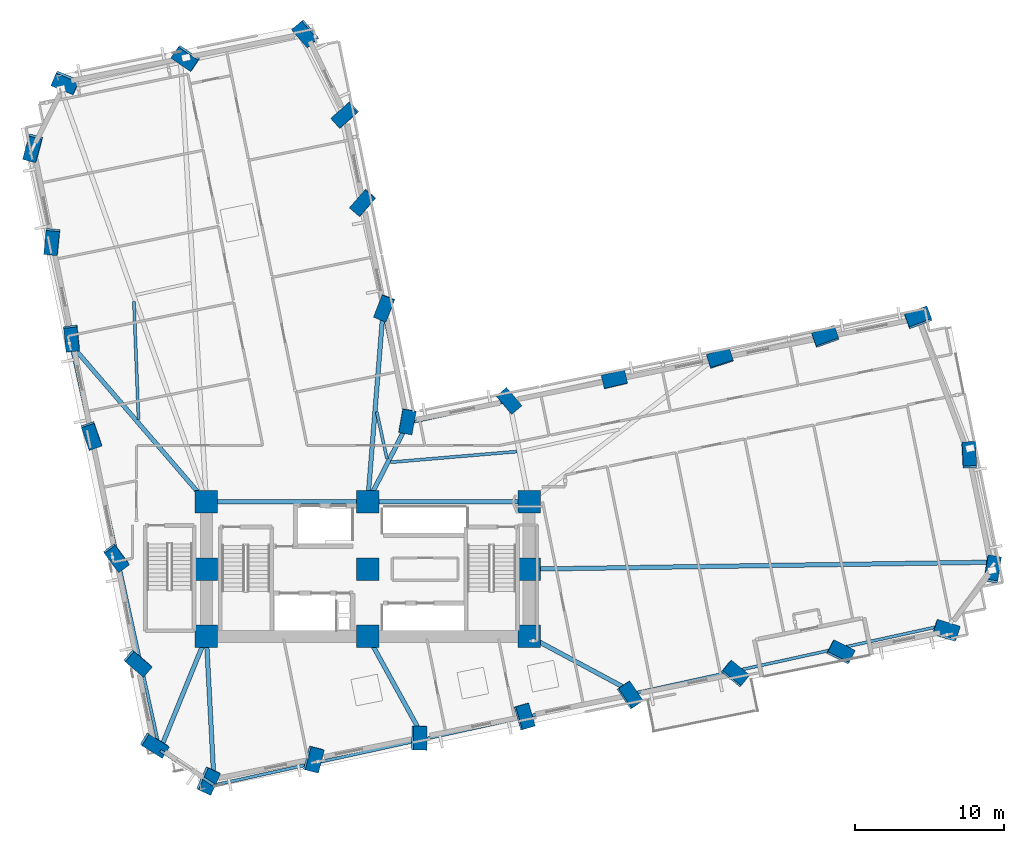
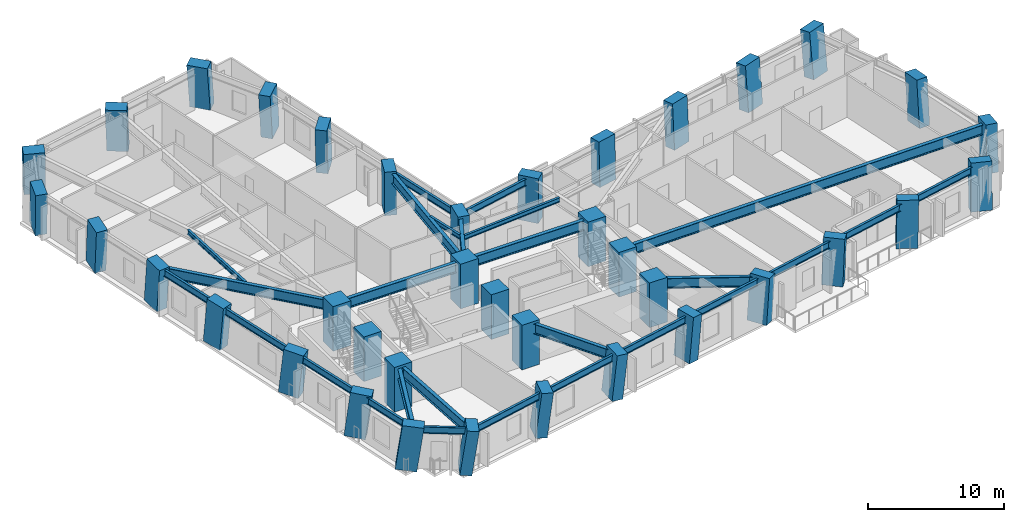
# One storey, part 1 of 16: 38 columns, 27 beams.
"""IFC4 building model written with IfcOpenShell, lengths in metres."""

from ifc_helpers import new_model, si_unit, direction, frame, origin, origin_2d, place, context, subcontext, project, spatial, rectangle, i_section, extrude, material, material_profile, profile_set, type_object, element, save


model = new_model("IFC4")

# Units and contexts
model_context = context("Model", 3, precision=1e-05, world=origin(), true_north=direction((0.0, 1.0)))
body_context = subcontext(model_context, "Body", "Model", "MODEL_VIEW")
ifc_project = project(units=[si_unit("LENGTHUNIT", "METRE"), si_unit("AREAUNIT", "SQUARE_METRE"), si_unit("VOLUMEUNIT", "CUBIC_METRE"), si_unit("PLANEANGLEUNIT", "RADIAN"), si_unit("MASSUNIT", "GRAM", prefix="KILO")], contexts=[model_context])

# Site, building, storey
site_placement = place(None, origin())
site = spatial("IfcSite", under=ifc_project, at=site_placement, CompositionType="ELEMENT")
building_placement = place(site_placement, origin())
building = spatial("IfcBuilding", under=site, at=building_placement, Name="Gaonmaruhae Medical Tower", CompositionType="ELEMENT")
storey_placement = place(building_placement, frame((0.0, 0.0, 71.0)))
storey = spatial("IfcBuildingStorey", under=building, at=storey_placement, Name="L16", CompositionType="ELEMENT", Elevation=71.0)

# Columns
ifc_material_1 = material(Name="Concrete C60/75", Category="concrete")
ifc_material_profile_1 = material_profile(ifc_material_1, rectangle(XDim=1.5, YDim=1.5, at=origin_2d()), Name="RC-1500x1500")
ifc_profile_set_1 = profile_set([ifc_material_profile_1], Name="Concrete C60/75")
column_type_1 = type_object("IfcColumnType", Name="CC-02 Zone 1 Core Column (RC-1500x1500)", PredefinedType="COLUMN", material=ifc_profile_set_1)
for number, where, z_axis, x_axis, name in (
    (1, (14.0, 7.800048828125, 0.0), (0.0, 0.0, 1.0), (1.0, 0.0, 0.0), "L16 Plumb Core Column CC11"),
    (2, (14.0, 12.300048828125, 0.0), (0.0, 0.0, 1.0), (1.0, 0.0, 0.0), "L16 Plumb Core Column CC12"),
    (3, (14.0, 16.800048828125, 0.0), (0.0, 0.0, 1.0), (1.0, 0.0, 0.0), "L16 Plumb Core Column CC13"),
    (4, (24.800048828125, 7.800048828125, 0.0), (0.0, 0.0, 1.0), (1.0, 0.0, 0.0), "L16 Plumb Core Column CC21"),
    (5, (24.800048828125, 12.300048828125, 0.0), (0.0, 0.0, 1.0), (1.0, 0.0, 0.0), "L16 Plumb Core Column CC22"),
    (6, (24.800048828125, 16.800048828125, 0.0), (0.0, 0.0, 1.0), (1.0, 0.0, 0.0), "L16 Plumb Core Column CC23"),
    (7, (35.60009765625, 7.800048828125, 0.0), (0.0, 0.0, 1.0), (1.0, 0.0, 0.0), "L16 Plumb Core Column CC31"),
    (8, (35.60009765625, 12.300048828125, 0.0), (0.0, 0.0, 1.0), (1.0, 0.0, 0.0), "L16 Plumb Core Column CC32"),
    (9, (35.60009765625, 16.800048828125, 0.0), (0.0, 0.0, 1.0), (1.0, 0.0, 0.0), "L16 Plumb Core Column CC33"),
):
    element("IfcColumn", number, at=place(storey_placement, frame(where, z_axis=z_axis, x_axis=x_axis)), inside=storey, type_object=column_type_1, Name=name, PredefinedType="COLUMN", context=body_context, shape_type="SweptSolid", body=[
        extrude(rectangle(XDim=1.5, YDim=1.5, at=origin_2d()), origin(), (0.0, 0.0, 1.0), 4.0),
    ])
ifc_material_profile_2 = material_profile(ifc_material_1, rectangle(XDim=1.60009765625, YDim=0.89990234375, at=origin_2d()), Name="RC-1600x900")
ifc_profile_set_2 = profile_set([ifc_material_profile_2], Name="Concrete C60/75")
column_type_2 = type_object("IfcColumnType", Name="TC-01 Lower Raking Tube Pier Column (RC-1600x900)", PredefinedType="COLUMN", material=ifc_profile_set_2)
column_1_placement = place(storey_placement, frame((14.079345703125, -1.833984375, 0.001708984375), z_axis=(0.110090533121, -0.079284551066, 0.990754275529), x_axis=(0.413959841885, 0.909900080909, 0.026815892095)))
element("IfcColumn", 10, at=column_1_placement, inside=storey, type_object=column_type_2, Name="L16 Perimeter Tube Column S01", PredefinedType="COLUMN", context=body_context, shape_type="SweptSolid", body=[
    extrude(rectangle(XDim=1.60009765625, YDim=0.89990234375, at=origin_2d()), origin(), (0.0, 0.0, 1.0), 4.033935546875),
])
column_2_placement = place(storey_placement, frame((21.137451171875, -0.410888671875, 0.001708984375), z_axis=(0.104182069546, -0.05042242271, 0.993279253621), x_axis=(0.250328918616, 0.967890520267, 0.022877353029)))
element("IfcColumn", 11, at=column_2_placement, inside=storey, type_object=column_type_2, Name="L16 Perimeter Tube Column S02", PredefinedType="COLUMN", context=body_context, shape_type="SweptSolid", body=[
    extrude(rectangle(XDim=1.60009765625, YDim=0.89990234375, at=origin_2d()), origin(), (0.0, 0.0, 1.0), 4.023681640625),
])
column_3_placement = place(storey_placement, frame((28.1953125, 1.012451171875, 0.001708984375), z_axis=(0.098277099799, -0.021515209232, 0.994926483428), x_axis=(0.017535010044, 0.999648488455, 0.019885244574)))
element("IfcColumn", 12, at=column_3_placement, inside=storey, type_object=column_type_2, Name="L16 Perimeter Tube Column S03", PredefinedType="COLUMN", context=body_context, shape_type="SweptSolid", body=[
    extrude(rectangle(XDim=1.60009765625, YDim=0.89990234375, at=origin_2d()), origin(), (0.0, 0.0, 1.0), 4.016845703125),
])
column_4_placement = place(storey_placement, frame((35.253173828125, 2.435546875, 0.001708984375), z_axis=(0.092271488704, 0.007603122009, 0.995704858333), x_axis=(-0.27664462741, 0.960798033947, 0.018299947803)))
element("IfcColumn", 13, at=column_4_placement, inside=storey, type_object=column_type_2, Name="L16 Perimeter Tube Column S04", PredefinedType="COLUMN", context=body_context, shape_type="SweptSolid", body=[
    extrude(rectangle(XDim=1.60009765625, YDim=0.89990234375, at=origin_2d()), origin(), (0.0, 0.0, 1.0), 4.013916015625),
])
column_5_placement = place(storey_placement, frame((42.311279296875, 3.858642578125, 0.001708984375), z_axis=(0.086119922168, 0.036673949906, 0.995609552186), x_axis=(-0.565127396469, 0.824796170632, 0.018501423489)))
element("IfcColumn", 14, at=column_5_placement, inside=storey, type_object=column_type_2, Name="L16 Perimeter Tube Column S05", PredefinedType="COLUMN", context=body_context, shape_type="SweptSolid", body=[
    extrude(rectangle(XDim=1.60009765625, YDim=0.89990234375, at=origin_2d()), origin(), (0.0, 0.0, 1.0), 4.01416015625),
])
column_6_placement = place(storey_placement, frame((49.369140625, 5.281982421875, 0.001708984375), z_axis=(0.079959407935, 0.065680942233, 0.99463184491), x_axis=(-0.774131871171, 0.632693860532, 0.020452992011)))
element("IfcColumn", 15, at=column_6_placement, inside=storey, type_object=column_type_2, Name="L16 Perimeter Tube Column S06", PredefinedType="COLUMN", context=body_context, shape_type="SweptSolid", body=[
    extrude(rectangle(XDim=1.60009765625, YDim=0.89990234375, at=origin_2d()), origin(), (0.0, 0.0, 1.0), 4.01806640625),
])
column_7_placement = place(storey_placement, frame((56.427001953125, 6.705078125, 0.001708984375), z_axis=(0.073685963608, 0.094548491576, 0.992789484991), x_axis=(-0.893817371069, 0.447804791717, 0.023693368086)))
element("IfcColumn", 16, at=column_7_placement, inside=storey, type_object=column_type_2, Name="L16 Perimeter Tube Column S07", PredefinedType="COLUMN", context=body_context, shape_type="SweptSolid", body=[
    extrude(rectangle(XDim=1.60009765625, YDim=0.89990234375, at=origin_2d()), origin(), (0.0, 0.0, 1.0), 4.025634765625),
])
column_8_placement = place(storey_placement, frame((63.485107421875, 8.128173828125, 0.001708984375), z_axis=(0.06737653926, 0.123261568234, 0.990084333657), x_axis=(-0.954019596643, 0.298455476627, 0.027765764771)))
element("IfcColumn", 17, at=column_8_placement, inside=storey, type_object=column_type_2, Name="L16 Perimeter Tube Column S08", PredefinedType="COLUMN", context=body_context, shape_type="SweptSolid", body=[
    extrude(rectangle(XDim=1.60009765625, YDim=0.89990234375, at=origin_2d()), origin(), (0.0, 0.0, 1.0), 4.03662109375),
])
column_9_placement = place(storey_placement, frame((66.5869140625, 12.22216796875, 0.001708984375), z_axis=(0.050470528306, 0.135696210835, 0.989464129788), x_axis=(-0.152869611882, -0.978002581193, 0.141921925516)))
element("IfcColumn", 18, at=column_9_placement, inside=storey, type_object=column_type_2, Name="L16 Perimeter Tube Column E01", PredefinedType="COLUMN", context=body_context, shape_type="SweptSolid", body=[
    extrude(rectangle(XDim=1.60009765625, YDim=0.89990234375, at=origin_2d()), origin(), (0.0, 0.0, 1.0), 4.0390625),
])
column_10_placement = place(storey_placement, frame((65.045166015625, 19.868408203125, 0.001708984375), z_axis=(0.01919837928, 0.129361949973, 0.991411573531), x_axis=(0.05284765277, -0.990339449167, 0.128198677917)))
element("IfcColumn", 19, at=column_10_placement, inside=storey, type_object=column_type_2, Name="L16 Perimeter Tube Column E02", PredefinedType="COLUMN", context=body_context, shape_type="SweptSolid", body=[
    extrude(rectangle(XDim=1.60009765625, YDim=0.89990234375, at=origin_2d()), origin(), (0.0, 0.0, 1.0), 4.03125),
])
column_11_placement = place(storey_placement, frame((61.657470703125, 29.080322265625, 0.001708984375), z_axis=(-0.018564620946, 0.115391859606, 0.993146551918), x_axis=(-0.936644998012, -0.34951749012, 0.023101337619)))
element("IfcColumn", 20, at=column_11_placement, inside=storey, type_object=column_type_2, Name="L16 Perimeter Tube Column E03", PredefinedType="COLUMN", context=body_context, shape_type="SweptSolid", body=[
    extrude(rectangle(XDim=1.60009765625, YDim=0.89990234375, at=origin_2d()), origin(), (0.0, 0.0, 1.0), 4.024169921875),
])
column_12_placement = place(storey_placement, frame((55.432861328125, 27.8251953125, 0.001708984375), z_axis=(-0.013261782721, 0.090034121226, 0.9958503814), x_axis=(-0.941122848239, -0.337585869276, 0.017987923373)))
element("IfcColumn", 21, at=column_12_placement, inside=storey, type_object=column_type_2, Name="L16 Perimeter Tube Column EN01", PredefinedType="COLUMN", context=body_context, shape_type="SweptSolid", body=[
    extrude(rectangle(XDim=1.60009765625, YDim=0.89990234375, at=origin_2d()), origin(), (0.0, 0.0, 1.0), 4.01318359375),
])
column_13_placement = place(storey_placement, frame((48.374755859375, 26.402099609375, 0.001708984375), z_axis=(-0.007133714157, 0.061032887787, 0.998110262812), x_axis=(-0.950739714686, -0.3097522822, 0.012145723144)))
element("IfcColumn", 22, at=column_13_placement, inside=storey, type_object=column_type_2, Name="L16 Perimeter Tube Column EN02", PredefinedType="COLUMN", context=body_context, shape_type="SweptSolid", body=[
    extrude(rectangle(XDim=1.60009765625, YDim=0.89990234375, at=origin_2d()), origin(), (0.0, 0.0, 1.0), 4.004150390625),
])
column_14_placement = place(storey_placement, frame((41.31689453125, 24.97900390625, 0.001708984375), z_axis=(-0.00097689877, 0.031932378548, 0.999489554157), x_axis=(-0.973771805306, -0.227439215486, 0.006314621919)))
element("IfcColumn", 23, at=column_14_placement, inside=storey, type_object=column_type_2, Name="L16 Perimeter Tube Column EN03", PredefinedType="COLUMN", context=body_context, shape_type="SweptSolid", body=[
    extrude(rectangle(XDim=1.60009765625, YDim=0.89990234375, at=origin_2d()), origin(), (0.0, 0.0, 1.0), 3.99853515625),
])
column_15_placement = place(storey_placement, frame((34.259033203125, 23.5556640625, 0.001708984375), z_axis=(0.005131250001, 0.002809970238, 0.999982887024), x_axis=(-0.64420012832, 0.764856102499, 0.001156348813)))
element("IfcColumn", 24, at=column_15_placement, inside=storey, type_object=column_type_2, Name="L16 Perimeter Tube Column EN04", PredefinedType="COLUMN", context=body_context, shape_type="SweptSolid", body=[
    extrude(rectangle(XDim=1.60009765625, YDim=0.89990234375, at=origin_2d()), origin(), (0.0, 0.0, 1.0), 3.99658203125),
])
column_16_placement = place(storey_placement, frame((27.446044921875, 22.181884765625, 0.001708984375), z_axis=(0.011052567647, -0.025402586416, 0.999616201025), x_axis=(0.175259325903, 0.98425187011, 0.023074333536)))
element("IfcColumn", 25, at=column_16_placement, inside=storey, type_object=column_type_2, Name="L16 Perimeter Tube Column KN01", PredefinedType="COLUMN", context=body_context, shape_type="SweptSolid", body=[
    extrude(rectangle(XDim=1.60009765625, YDim=0.89990234375, at=origin_2d()), origin(), (0.0, 0.0, 1.0), 3.998046875),
])
column_17_placement = place(storey_placement, frame((25.9140625, 29.779052734375, 0.001708984375), z_axis=(-0.020327474655, -0.031986776934, 0.999281561861), x_axis=(0.358573515235, 0.932761915161, 0.037151632506)))
element("IfcColumn", 26, at=column_17_placement, inside=storey, type_object=column_type_2, Name="L16 Perimeter Tube Column NE01", PredefinedType="COLUMN", context=body_context, shape_type="SweptSolid", body=[
    extrude(rectangle(XDim=1.60009765625, YDim=0.89990234375, at=origin_2d()), origin(), (0.0, 0.0, 1.0), 3.99951171875),
])
column_18_placement = place(storey_placement, frame((24.490966796875, 36.8369140625, 0.001708984375), z_axis=(-0.04944522251, -0.038105134487, 0.998049682479), x_axis=(0.654284243965, 0.753768890214, 0.061193040821)))
element("IfcColumn", 27, at=column_18_placement, inside=storey, type_object=column_type_2, Name="L16 Perimeter Tube Column NE02", PredefinedType="COLUMN", context=body_context, shape_type="SweptSolid", body=[
    extrude(rectangle(XDim=1.60009765625, YDim=0.89990234375, at=origin_2d()), origin(), (0.0, 0.0, 1.0), 4.00439453125),
])
column_19_placement = place(storey_placement, frame((23.304931640625, 42.718505859375, 0.001708984375), z_axis=(-0.07364612951, -0.043092115449, 0.996353008323), x_axis=(0.743170140005, 0.663853828041, 0.083643517389)))
element("IfcColumn", 28, at=column_19_placement, inside=storey, type_object=column_type_2, Name="L16 Perimeter Tube Column NE03", PredefinedType="COLUMN", context=body_context, shape_type="SweptSolid", body=[
    extrude(rectangle(XDim=1.60009765625, YDim=0.89990234375, at=origin_2d()), origin(), (0.0, 0.0, 1.0), 4.01123046875),
])
column_20_placement = place(storey_placement, frame((20.67822265625, 48.15673828125, 0.001708984375), z_axis=(-0.095750725554, -0.054038139343, 0.993937461842), x_axis=(0.652889004976, -0.75714178031, 0.021731812851)))
element("IfcColumn", 29, at=column_20_placement, inside=storey, type_object=column_type_2, Name="L16 Perimeter Tube Column N01", PredefinedType="COLUMN", context=body_context, shape_type="SweptSolid", body=[
    extrude(rectangle(XDim=1.60009765625, YDim=0.89990234375, at=origin_2d()), origin(), (0.0, 0.0, 1.0), 4.02099609375),
])
column_21_placement = place(storey_placement, frame((12.64013671875, 46.535888671875, 0.001708984375), z_axis=(-0.088678638847, -0.086981440017, 0.992255172879), x_axis=(0.826442975623, -0.562484839864, 0.024552249733)))
element("IfcColumn", 30, at=column_21_placement, inside=storey, type_object=column_type_2, Name="L16 Perimeter Tube Column N02", PredefinedType="COLUMN", context=body_context, shape_type="SweptSolid", body=[
    extrude(rectangle(XDim=1.60009765625, YDim=0.89990234375, at=origin_2d()), origin(), (0.0, 0.0, 1.0), 4.02783203125),
])
column_22_placement = place(storey_placement, frame((4.601806640625, 44.9150390625, 0.001708984375), z_axis=(-0.081478721698, -0.119618983858, 0.989470826559), x_axis=(0.92027968951, -0.390213925825, 0.028607432025)))
element("IfcColumn", 31, at=column_22_placement, inside=storey, type_object=column_type_2, Name="L16 Perimeter Tube Column N03", PredefinedType="COLUMN", context=body_context, shape_type="SweptSolid", body=[
    extrude(rectangle(XDim=1.60009765625, YDim=0.89990234375, at=origin_2d()), origin(), (0.0, 0.0, 1.0), 4.0390625),
])
column_23_placement = place(storey_placement, frame((2.422119140625, 40.5478515625, 0.001708984375), z_axis=(-0.063540455362, -0.128410967829, 0.989683400828), x_axis=(0.253106021414, 0.957189910208, 0.140445070115)))
element("IfcColumn", 32, at=column_23_placement, inside=storey, type_object=column_type_2, Name="L16 Perimeter Tube Column W01", PredefinedType="COLUMN", context=body_context, shape_type="SweptSolid", body=[
    extrude(rectangle(XDim=1.60009765625, YDim=0.89990234375, at=origin_2d()), origin(), (0.0, 0.0, 1.0), 4.038330078125),
])
column_24_placement = place(storey_placement, frame((3.68701171875, 34.274169921875, 0.001708984375), z_axis=(-0.037921290688, -0.123274483305, 0.991647809194), x_axis=(0.096891160508, 0.987232175824, 0.126430747971)))
element("IfcColumn", 33, at=column_24_placement, inside=storey, type_object=column_type_2, Name="L16 Perimeter Tube Column W02", PredefinedType="COLUMN", context=body_context, shape_type="SweptSolid", body=[
    extrude(rectangle(XDim=1.60009765625, YDim=0.89990234375, at=origin_2d()), origin(), (0.0, 0.0, 1.0), 4.0302734375),
])
column_25_placement = place(storey_placement, frame((4.99169921875, 27.804443359375, 0.001708984375), z_axis=(-0.011403629937, -0.117857728549, 0.992965010988), x_axis=(-0.102994924349, 0.987886287452, 0.116072083735)))
element("IfcColumn", 34, at=column_25_placement, inside=storey, type_object=column_type_2, Name="L16 Perimeter Tube Column W03", PredefinedType="COLUMN", context=body_context, shape_type="SweptSolid", body=[
    extrude(rectangle(XDim=1.60009765625, YDim=0.89990234375, at=origin_2d()), origin(), (0.0, 0.0, 1.0), 4.02490234375),
])
column_26_placement = place(storey_placement, frame((6.30615234375, 21.28564453125, 0.001708984375), z_axis=(0.015416211566, -0.112283430694, 0.99355662728), x_axis=(-0.328298858698, 0.93801730998, 0.111100790078)))
element("IfcColumn", 35, at=column_26_placement, inside=storey, type_object=column_type_2, Name="L16 Perimeter Tube Column W04", PredefinedType="COLUMN", context=body_context, shape_type="SweptSolid", body=[
    extrude(rectangle(XDim=1.60009765625, YDim=0.89990234375, at=origin_2d()), origin(), (0.0, 0.0, 1.0), 4.0224609375),
])
column_27_placement = place(storey_placement, frame((7.95654296875, 13.100341796875, 0.001708984375), z_axis=(0.049085805426, -0.105149197532, 0.993244295208), x_axis=(-0.590956568441, 0.798643005727, 0.113752730165)))
element("IfcColumn", 36, at=column_27_placement, inside=storey, type_object=column_type_2, Name="L16 Perimeter Tube Column W05", PredefinedType="COLUMN", context=body_context, shape_type="SweptSolid", body=[
    extrude(rectangle(XDim=1.60009765625, YDim=0.89990234375, at=origin_2d()), origin(), (0.0, 0.0, 1.0), 4.023681640625),
])
column_28_placement = place(storey_placement, frame((9.3798828125, 6.04248046875, 0.001708984375), z_axis=(0.077932612165, -0.098961085276, 0.992034884247), x_axis=(-0.7569417107, 0.641710486579, 0.123478330149)))
element("IfcColumn", 37, at=column_28_placement, inside=storey, type_object=column_type_2, Name="L16 Perimeter Tube Column W06", PredefinedType="COLUMN", context=body_context, shape_type="SweptSolid", body=[
    extrude(rectangle(XDim=1.60009765625, YDim=0.89990234375, at=origin_2d()), origin(), (0.0, 0.0, 1.0), 4.028564453125),
])
column_29_placement = place(storey_placement, frame((10.48681640625, 0.552978515625, 0.001708984375), z_axis=(0.100320290695, -0.094088089283, 0.990496476889), x_axis=(-0.843429587124, 0.520046968165, 0.134824635977)))
element("IfcColumn", 38, at=column_29_placement, inside=storey, type_object=column_type_2, Name="L16 Perimeter Tube Column W07", PredefinedType="COLUMN", context=body_context, shape_type="SweptSolid", body=[
    extrude(rectangle(XDim=1.60009765625, YDim=0.89990234375, at=origin_2d()), origin(), (0.0, 0.0, 1.0), 4.034912109375),
])

# Beams
ifc_material_2 = material(Name="Steel SM355", Category="steel")
ifc_material_profile_3 = material_profile(ifc_material_2, i_section(OverallWidth=0.199951171875, OverallDepth=0.39990234375, WebThickness=0.008056640625, FlangeThickness=0.012939453125, FilletRadius=0.012939453125, at=origin_2d()), Name="H-400x200x8x13")
ifc_profile_set_3 = profile_set([ifc_material_profile_3], Name="Steel SM355")
beam_type_1 = type_object("IfcBeamType", Name="FJ-01 Lower Zone Ward Floor Joist (H-400x200x8x13)", PredefinedType="JOIST", material=ifc_profile_set_3)
beam_1_placement = place(storey_placement, frame((34.783447265625, 20.170166015625, 3.580078125), z_axis=(-0.996448665819, -0.084202472569, 0.0), x_axis=(0.084202472569, -0.996448665819, 0.0)))
element("IfcBeam", 39, at=beam_1_placement, inside=storey, type_object=beam_type_1, Name="L16 Secondary Floor Joist FJ06", PredefinedType="JOIST", context=body_context, shape_type="SweptSolid", body=[
    extrude(i_section(OverallWidth=0.199951171875, OverallDepth=0.39990234375, WebThickness=0.008056640625, FlangeThickness=0.012939453125, FilletRadius=0.012939453125, at=origin_2d()), origin(), (0.0, 0.0, 1.0), 8.486572265625),
])
beam_2_placement = place(storey_placement, frame((26.09326171875, 19.67724609375, 3.580078125), z_axis=(-0.213881630633, 0.976859584627, 0.0), x_axis=(-0.976859584627, -0.213881630633, 0.0)))
element("IfcBeam", 40, at=beam_2_placement, inside=storey, type_object=beam_type_1, Name="L16 Secondary Floor Joist FJ07", PredefinedType="JOIST", context=body_context, shape_type="SweptSolid", body=[
    extrude(i_section(OverallWidth=0.199951171875, OverallDepth=0.39990234375, WebThickness=0.008056640625, FlangeThickness=0.012939453125, FilletRadius=0.012939453125, at=origin_2d()), origin(), (0.0, 0.0, 1.0), 3.2314453125),
])
beam_3_placement = place(storey_placement, frame((9.152099609375, 30.21533203125, 3.580078125), z_axis=(0.03932455668, -0.999226490462, 0.0), x_axis=(0.999226490462, 0.03932455668, 0.0)))
element("IfcBeam", 41, at=beam_3_placement, inside=storey, type_object=beam_type_1, Name="L16 Secondary Floor Joist FJ10", PredefinedType="JOIST", context=body_context, shape_type="SweptSolid", body=[
    extrude(i_section(OverallWidth=0.199951171875, OverallDepth=0.39990234375, WebThickness=0.008056640625, FlangeThickness=0.012939453125, FilletRadius=0.012939453125, at=origin_2d()), origin(), (0.0, 0.0, 1.0), 7.909423828125),
])
ifc_material_3 = material(Name="Steel SM420", Category="steel")
ifc_material_profile_4 = material_profile(ifc_material_3, i_section(OverallWidth=0.300048828125, OverallDepth=0.89990234375, WebThickness=0.01611328125, FlangeThickness=0.028076171875, FilletRadius=0.01806640625, at=origin_2d()), Name="H-900x300x16x28")
ifc_profile_set_4 = profile_set([ifc_material_profile_4], Name="Steel SM420")
beam_type_2 = type_object("IfcBeamType", Name="PG-01 Zone 1 Radial Floor Girder (H-900x300x16x28)", PredefinedType="BEAM", material=ifc_profile_set_4)
for number, where, z_axis, x_axis, name in (
    (42, (14.050048828125, 16.800048828125, 3.330078125), (1.0, 0.0, 0.0), (0.0, 1.0, 0.0), "L16 Beam BM-L16-CG-N1"),
    (43, (24.85009765625, 16.800048828125, 3.330078125), (1.0, 0.0, 0.0), (0.0, 1.0, 0.0), "L16 Beam BM-L16-CG-N2"),
):
    element("IfcBeam", number, at=place(storey_placement, frame(where, z_axis=z_axis, x_axis=x_axis)), inside=storey, type_object=beam_type_2, Name=name, PredefinedType="BEAM", context=body_context, shape_type="SweptSolid", body=[
        extrude(i_section(OverallWidth=0.300048828125, OverallDepth=0.89990234375, WebThickness=0.01611328125, FlangeThickness=0.028076171875, FilletRadius=0.01806640625, at=origin_2d()), origin(), (0.0, 0.0, 1.0), 10.699951171875),
    ])
beam_4_placement = place(storey_placement, frame((14.002685546875, 7.75, 3.330078125), z_axis=(0.052526368318, -0.998619537477, 0.0), x_axis=(0.998619537477, 0.052526368318, 0.0)))
element("IfcBeam", 44, at=beam_4_placement, inside=storey, type_object=beam_type_2, Name="L16 Radial Primary Girder S01", PredefinedType="BEAM", context=body_context, shape_type="SweptSolid", body=[
    extrude(i_section(OverallWidth=0.300048828125, OverallDepth=0.89990234375, WebThickness=0.01611328125, FlangeThickness=0.028076171875, FilletRadius=0.01806640625, at=origin_2d()), origin(), (0.0, 0.0, 1.0), 9.86767578125),
])
beam_5_placement = place(storey_placement, frame((24.82421875, 7.756103515625, 3.330078125), z_axis=(0.482853299411, -0.875701256849, 0.0), x_axis=(0.875701256849, 0.482853299411, 0.0)))
element("IfcBeam", 45, at=beam_5_placement, inside=storey, type_object=beam_type_2, Name="L16 Radial Primary Girder S03", PredefinedType="BEAM", context=body_context, shape_type="SweptSolid", body=[
    extrude(i_section(OverallWidth=0.300048828125, OverallDepth=0.89990234375, WebThickness=0.01611328125, FlangeThickness=0.028076171875, FilletRadius=0.01806640625, at=origin_2d()), origin(), (0.0, 0.0, 1.0), 7.749755859375),
])
beam_6_placement = place(storey_placement, frame((35.64404296875, 7.7763671875, 3.330078125), z_axis=(0.880772117852, -0.473540364081, 0.0), x_axis=(0.473540364081, 0.880772117852, 0.0)))
element("IfcBeam", 46, at=beam_6_placement, inside=storey, type_object=beam_type_2, Name="L16 Radial Primary Girder S05", PredefinedType="BEAM", context=body_context, shape_type="SweptSolid", body=[
    extrude(i_section(OverallWidth=0.300048828125, OverallDepth=0.89990234375, WebThickness=0.01611328125, FlangeThickness=0.028076171875, FilletRadius=0.01806640625, at=origin_2d()), origin(), (0.0, 0.0, 1.0), 7.912353515625),
])
beam_7_placement = place(storey_placement, frame((35.64990234375, 12.30078125, 3.330078125), z_axis=(0.999886247867, 0.015082815587, 0.0), x_axis=(-0.015082815587, 0.999886247867, 0.0)))
element("IfcBeam", 47, at=beam_7_placement, inside=storey, type_object=beam_type_2, Name="L16 Radial Primary Girder E01", PredefinedType="BEAM", context=body_context, shape_type="SweptSolid", body=[
    extrude(i_section(OverallWidth=0.300048828125, OverallDepth=0.89990234375, WebThickness=0.01611328125, FlangeThickness=0.028076171875, FilletRadius=0.01806640625, at=origin_2d()), origin(), (0.0, 0.0, 1.0), 31.094482421875),
])
beam_8_placement = place(storey_placement, frame((24.82275390625, 16.844482421875, 3.330078125), z_axis=(0.453955912899, 0.891024146218, 0.0), x_axis=(-0.891024146218, 0.453955912899, 0.0)))
element("IfcBeam", 48, at=beam_8_placement, inside=storey, type_object=beam_type_2, Name="L16 Radial Primary Girder KN01", PredefinedType="BEAM", context=body_context, shape_type="SweptSolid", body=[
    extrude(i_section(OverallWidth=0.300048828125, OverallDepth=0.89990234375, WebThickness=0.01611328125, FlangeThickness=0.028076171875, FilletRadius=0.01806640625, at=origin_2d()), origin(), (0.0, 0.0, 1.0), 5.826171875),
])
beam_9_placement = place(storey_placement, frame((24.803955078125, 16.849853515625, 3.330078125), z_axis=(0.080099456632, 0.996786876442, 0.0), x_axis=(-0.996786876442, 0.080099456632, 0.0)))
element("IfcBeam", 49, at=beam_9_placement, inside=storey, type_object=beam_type_2, Name="L16 Radial Primary Girder NE01", PredefinedType="BEAM", context=body_context, shape_type="SweptSolid", body=[
    extrude(i_section(OverallWidth=0.300048828125, OverallDepth=0.89990234375, WebThickness=0.01611328125, FlangeThickness=0.028076171875, FilletRadius=0.01806640625, at=origin_2d()), origin(), (0.0, 0.0, 1.0), 12.792236328125),
])
beam_10_placement = place(storey_placement, frame((13.96728515625, 16.837890625, 3.330078125), z_axis=(-0.651965975256, 0.758248222621, 0.0), x_axis=(-0.758248222621, -0.651965975256, 0.0)))
element("IfcBeam", 50, at=beam_10_placement, inside=storey, type_object=beam_type_2, Name="L16 Radial Primary Girder W03", PredefinedType="BEAM", context=body_context, shape_type="SweptSolid", body=[
    extrude(i_section(OverallWidth=0.300048828125, OverallDepth=0.89990234375, WebThickness=0.01611328125, FlangeThickness=0.028076171875, FilletRadius=0.01806640625, at=origin_2d()), origin(), (0.0, 0.0, 1.0), 13.787109375),
])
beam_11_placement = place(storey_placement, frame((13.981201171875, 7.753662109375, 3.330078125), z_axis=(-0.377410314633, -0.92604614054, 0.0), x_axis=(0.92604614054, -0.377410314633, 0.0)))
element("IfcBeam", 51, at=beam_11_placement, inside=storey, type_object=beam_type_2, Name="L16 Radial Primary Girder W07", PredefinedType="BEAM", context=body_context, shape_type="SweptSolid", body=[
    extrude(i_section(OverallWidth=0.300048828125, OverallDepth=0.89990234375, WebThickness=0.01611328125, FlangeThickness=0.028076171875, FilletRadius=0.01806640625, at=origin_2d()), origin(), (0.0, 0.0, 1.0), 8.1357421875),
])
ifc_material_profile_5 = material_profile(ifc_material_2, i_section(OverallWidth=0.199951171875, OverallDepth=0.60009765625, WebThickness=0.010986328125, FlangeThickness=0.01708984375, FilletRadius=0.012939453125, at=origin_2d()), Name="H-600x200x11x17")
ifc_profile_set_5 = profile_set([ifc_material_profile_5], Name="Steel SM355")
beam_type_3 = type_object("IfcBeamType", Name="SP-01 Lower Perimeter Spandrel Beam (H-600x200x11x17)", PredefinedType="SPANDREL", material=ifc_profile_set_5)
for number, where, z_axis, x_axis, name in (
    (52, (14.5625, -2.145263671875, 3.47998046875), (0.976863988716, 0.213861514887, 0.0), (-0.213861514887, 0.976863988716, 0.0), "L16 Perimeter Spandrel Beam S01-S02"),
    (53, (21.595947265625, -0.60546875, 3.47998046875), (0.976856824747, 0.213894235416, 0.0), (-0.213894235416, 0.976856824747, 0.0), "L16 Perimeter Spandrel Beam S02-S03"),
    (54, (28.62939453125, 0.9345703125, 3.47998046875), (0.976856824747, 0.213894235416, 0.0), (-0.213894235416, 0.976856824747, 0.0), "L16 Perimeter Spandrel Beam S03-S04"),
):
    element("IfcBeam", number, at=place(storey_placement, frame(where, z_axis=z_axis, x_axis=x_axis)), inside=storey, type_object=beam_type_3, Name=name, PredefinedType="SPANDREL", context=body_context, shape_type="SweptSolid", body=[
        extrude(i_section(OverallWidth=0.199951171875, OverallDepth=0.60009765625, WebThickness=0.010986328125, FlangeThickness=0.01708984375, FilletRadius=0.012939453125, at=origin_2d()), origin(), (0.0, 0.0, 1.0), 7.1201171875),
    ])
beam_12_placement = place(storey_placement, frame((35.662841796875, 2.474609375, 3.47998046875), z_axis=(0.976862420362, 0.213868678595, 0.0), x_axis=(-0.213868678595, 0.976862420362, 0.0)))
element("IfcBeam", 55, at=beam_12_placement, inside=storey, type_object=beam_type_3, Name="L16 Perimeter Spandrel Beam S04-S05", PredefinedType="SPANDREL", context=body_context, shape_type="SweptSolid", body=[
    extrude(i_section(OverallWidth=0.199951171875, OverallDepth=0.60009765625, WebThickness=0.010986328125, FlangeThickness=0.01708984375, FilletRadius=0.012939453125, at=origin_2d()), origin(), (0.0, 0.0, 1.0), 7.119873046875),
])
for number, where, z_axis, x_axis, name in (
    (56, (42.696044921875, 4.014404296875, 3.47998046875), (0.976856824747, 0.213894235416, 0.0), (-0.213894235416, 0.976856824747, 0.0), "L16 Perimeter Spandrel Beam S05-S06"),
    (57, (49.7294921875, 5.554443359375, 3.4599609375), (0.976856824747, 0.213894235416, 0.0), (-0.213894235416, 0.976856824747, 0.0), "L16 Perimeter Spandrel Beam S06-S07"),
    (58, (56.762939453125, 7.094482421875, 3.4599609375), (0.976863988716, 0.213861514887, 0.0), (-0.213861514887, 0.976863988716, 0.0), "L16 Perimeter Spandrel Beam S07-S08"),
):
    element("IfcBeam", number, at=place(storey_placement, frame(where, z_axis=z_axis, x_axis=x_axis)), inside=storey, type_object=beam_type_3, Name=name, PredefinedType="SPANDREL", context=body_context, shape_type="SweptSolid", body=[
        extrude(i_section(OverallWidth=0.199951171875, OverallDepth=0.60009765625, WebThickness=0.010986328125, FlangeThickness=0.01708984375, FilletRadius=0.012939453125, at=origin_2d()), origin(), (0.0, 0.0, 1.0), 7.1201171875),
    ])
beam_13_placement = place(storey_placement, frame((34.240478515625, 23.558349609375, 3.47998046875), z_axis=(-0.976857109094, -0.213892936798, 0.0), x_axis=(0.213892936798, -0.976857109094, 0.0)))
element("IfcBeam", 59, at=beam_13_placement, inside=storey, type_object=beam_type_3, Name="L16 Perimeter Spandrel Beam EN04-KN01", PredefinedType="SPANDREL", context=body_context, shape_type="SweptSolid", body=[
    extrude(i_section(OverallWidth=0.199951171875, OverallDepth=0.60009765625, WebThickness=0.010986328125, FlangeThickness=0.01708984375, FilletRadius=0.012939453125, at=origin_2d()), origin(), (0.0, 0.0, 1.0), 6.8701171875),
])
beam_14_placement = place(storey_placement, frame((27.481689453125, 22.119384765625, 3.47998046875), z_axis=(-0.213872494667, 0.976861584885, 0.0), x_axis=(-0.976861584885, -0.213872494667, 0.0)))
element("IfcBeam", 60, at=beam_14_placement, inside=storey, type_object=beam_type_3, Name="L16 Perimeter Spandrel Beam KN01-NE01", PredefinedType="SPANDREL", context=body_context, shape_type="SweptSolid", body=[
    extrude(i_section(OverallWidth=0.199951171875, OverallDepth=0.60009765625, WebThickness=0.010986328125, FlangeThickness=0.01708984375, FilletRadius=0.012939453125, at=origin_2d()), origin(), (0.0, 0.0, 1.0), 7.669921875),
])
beam_15_placement = place(storey_placement, frame((4.954345703125, 27.290771484375, 3.47998046875), z_axis=(0.213891920308, -0.976857331665, 0.0), x_axis=(0.976857331665, 0.213891920308, 0.0)))
element("IfcBeam", 61, at=beam_15_placement, inside=storey, type_object=beam_type_3, Name="L16 Perimeter Spandrel Beam W03-W04", PredefinedType="SPANDREL", context=body_context, shape_type="SweptSolid", body=[
    extrude(i_section(OverallWidth=0.199951171875, OverallDepth=0.60009765625, WebThickness=0.010986328125, FlangeThickness=0.01708984375, FilletRadius=0.012939453125, at=origin_2d()), origin(), (0.0, 0.0, 1.0), 6.570068359375),
])
beam_16_placement = place(storey_placement, frame((6.376708984375, 20.794677734375, 3.47998046875), z_axis=(0.213881761356, -0.976859556006, 0.0), x_axis=(0.976859556006, 0.213881761356, 0.0)))
element("IfcBeam", 62, at=beam_16_placement, inside=storey, type_object=beam_type_3, Name="L16 Perimeter Spandrel Beam W04-W05", PredefinedType="SPANDREL", context=body_context, shape_type="SweptSolid", body=[
    extrude(i_section(OverallWidth=0.199951171875, OverallDepth=0.60009765625, WebThickness=0.010986328125, FlangeThickness=0.01708984375, FilletRadius=0.012939453125, at=origin_2d()), origin(), (0.0, 0.0, 1.0), 8.27001953125),
])
beam_17_placement = place(storey_placement, frame((8.16259765625, 12.637939453125, 3.47998046875), z_axis=(0.213894235416, -0.976856824747, 0.0), x_axis=(0.976856824747, 0.213894235416, 0.0)))
element("IfcBeam", 63, at=beam_17_placement, inside=storey, type_object=beam_type_3, Name="L16 Perimeter Spandrel Beam W05-W06", PredefinedType="SPANDREL", context=body_context, shape_type="SweptSolid", body=[
    extrude(i_section(OverallWidth=0.199951171875, OverallDepth=0.60009765625, WebThickness=0.010986328125, FlangeThickness=0.01708984375, FilletRadius=0.012939453125, at=origin_2d()), origin(), (0.0, 0.0, 1.0), 7.1201171875),
])
beam_18_placement = place(storey_placement, frame((9.70263671875, 5.6044921875, 3.47998046875), z_axis=(0.213894733197, -0.976856715753, 0.0), x_axis=(0.976856715753, 0.213894733197, 0.0)))
element("IfcBeam", 64, at=beam_18_placement, inside=storey, type_object=beam_type_3, Name="L16 Perimeter Spandrel Beam W06-W07", PredefinedType="SPANDREL", context=body_context, shape_type="SweptSolid", body=[
    extrude(i_section(OverallWidth=0.199951171875, OverallDepth=0.60009765625, WebThickness=0.010986328125, FlangeThickness=0.01708984375, FilletRadius=0.012939453125, at=origin_2d()), origin(), (0.0, 0.0, 1.0), 5.519775390625),
])
beam_19_placement = place(storey_placement, frame((10.925537109375, 0.151611328125, 3.47998046875), z_axis=(0.84196647038, -0.539529853442, 0.0), x_axis=(0.539529853442, 0.84196647038, 0.0)))
element("IfcBeam", 65, at=beam_19_placement, inside=storey, type_object=beam_type_3, Name="L16 Perimeter Spandrel Beam W07-S01", PredefinedType="SPANDREL", context=body_context, shape_type="SweptSolid", body=[
    extrude(i_section(OverallWidth=0.199951171875, OverallDepth=0.60009765625, WebThickness=0.010986328125, FlangeThickness=0.01708984375, FilletRadius=0.012939453125, at=origin_2d()), origin(), (0.0, 0.0, 1.0), 4.233154296875),
])

save(model, "model.ifc")
